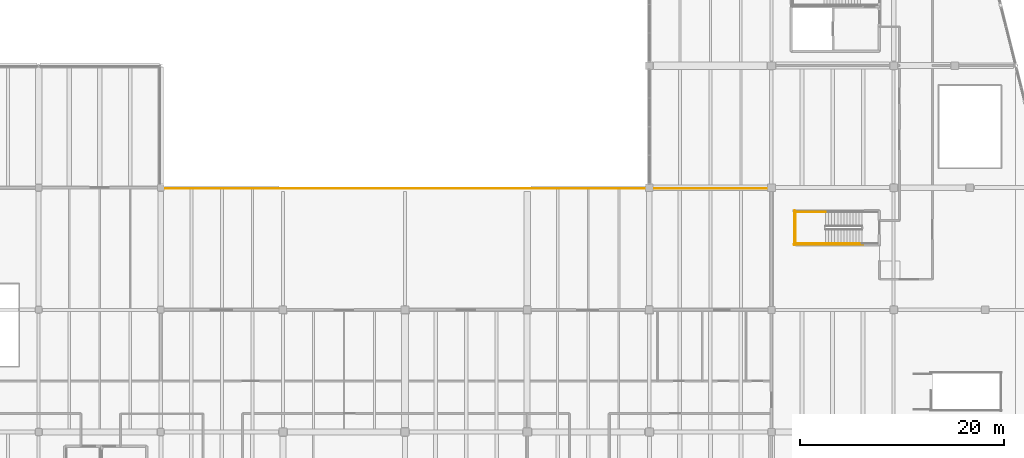
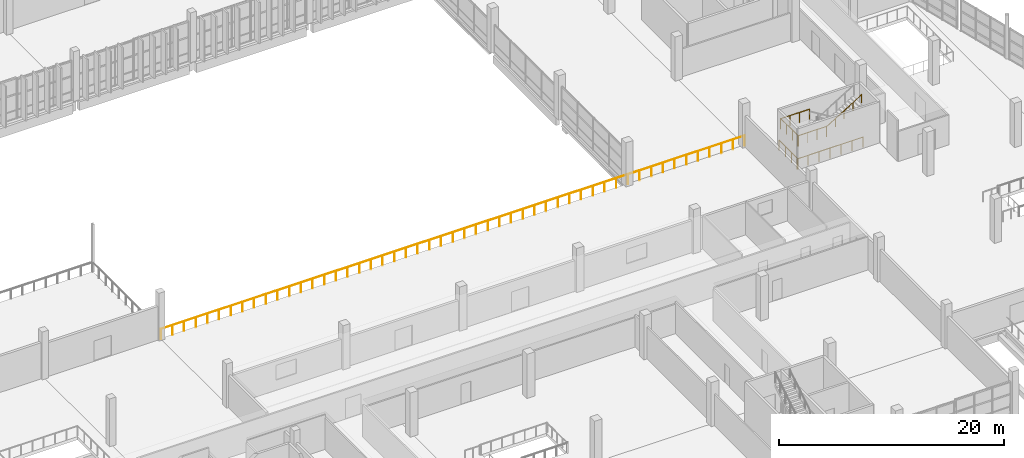
# One storey, part 104 of 112: 7 railings.
"""IFC4 building model written with IfcOpenShell, lengths in metres."""

from ifc_helpers import new_model, si_unit, direction, frame, origin, origin_2d, place, context, subcontext, project, spatial, circle, extrude, material, type_object, element, save


model = new_model("IFC4")

# Units and contexts
model_context = context("Model", 3, precision=1e-05, world=origin(), true_north=direction((0.0, 1.0)))
body_context = subcontext(model_context, "Body", "Model", "MODEL_VIEW")
ifc_project = project(units=[si_unit("LENGTHUNIT", "METRE"), si_unit("AREAUNIT", "SQUARE_METRE"), si_unit("VOLUMEUNIT", "CUBIC_METRE"), si_unit("PLANEANGLEUNIT", "RADIAN"), si_unit("MASSUNIT", "GRAM", prefix="KILO")], contexts=[model_context])

# Site, building, storey
site_placement = place(None, origin())
site = spatial("IfcSite", under=ifc_project, at=site_placement, CompositionType="ELEMENT")
building_placement = place(site_placement, origin())
building = spatial("IfcBuilding", under=site, at=building_placement, Name="Kamomehara Wholesale Market", CompositionType="ELEMENT")
storey_placement = place(building_placement, frame((0.0, 0.0, 6.60009765625)))
storey = spatial("IfcBuildingStorey", under=building, at=storey_placement, Name="L01", CompositionType="ELEMENT", Elevation=6.60009765625)

# Railings
ifc_material_1 = material(Name="Steel SN400B", Category="steel")
railing_type_1 = type_object("IfcRailingType", Name="RAL-EXT-1100", PredefinedType="BALUSTRADE", material=ifc_material_1)
railing_1_placement = place(storey_placement, frame((108.0, 59.89990234375, 0.0)))
element("IfcRailing", 1, at=railing_1_placement, inside=storey, type_object=railing_type_1, Name="Terrace guard OSLB-L01-TER1 1", PredefinedType="BALUSTRADE", context=body_context, shape_type="SweptSolid", body=[
    extrude(circle(Radius=0.02392578125, at=origin_2d()), frame((0.0, 0.0, 1.09619140625), z_axis=(1.0, 0.0, 0.0), x_axis=(0.0, 1.0, 0.0)), (0.0, 0.0, 1.0), 60.0),
    extrude(circle(Radius=0.02099609375, at=origin_2d()), origin(), (0.0, 0.0, 1.0), 1.072021484375),
    extrude(circle(Radius=0.02099609375, at=origin_2d()), frame((1.199951171875, 0.0, 0.0)), (0.0, 0.0, 1.0), 1.072021484375),
    extrude(circle(Radius=0.02099609375, at=origin_2d()), frame((2.39990234375, 0.0, 0.0)), (0.0, 0.0, 1.0), 1.072021484375),
    extrude(circle(Radius=0.02099609375, at=origin_2d()), frame((3.60009765625, 0.0, 0.0)), (0.0, 0.0, 1.0), 1.072021484375),
    extrude(circle(Radius=0.02099609375, at=origin_2d()), frame((4.800048828125, 0.0, 0.0)), (0.0, 0.0, 1.0), 1.072021484375),
    extrude(circle(Radius=0.02099609375, at=origin_2d()), frame((6.0, 0.0, 0.0)), (0.0, 0.0, 1.0), 1.072021484375),
    extrude(circle(Radius=0.02099609375, at=origin_2d()), frame((7.199951171875, 0.0, 0.0)), (0.0, 0.0, 1.0), 1.072021484375),
    extrude(circle(Radius=0.02099609375, at=origin_2d()), frame((8.39990234375, 0.0, 0.0)), (0.0, 0.0, 1.0), 1.072021484375),
    extrude(circle(Radius=0.02099609375, at=origin_2d()), frame((9.60009765625, 0.0, 0.0)), (0.0, 0.0, 1.0), 1.072021484375),
    extrude(circle(Radius=0.02099609375, at=origin_2d()), frame((10.800048828125, 0.0, 0.0)), (0.0, 0.0, 1.0), 1.072021484375),
    extrude(circle(Radius=0.02099609375, at=origin_2d()), frame((12.0, 0.0, 0.0)), (0.0, 0.0, 1.0), 1.072021484375),
    extrude(circle(Radius=0.02099609375, at=origin_2d()), frame((13.199951171875, 0.0, 0.0)), (0.0, 0.0, 1.0), 1.072021484375),
    extrude(circle(Radius=0.02099609375, at=origin_2d()), frame((14.39990234375, 0.0, 0.0)), (0.0, 0.0, 1.0), 1.072021484375),
    extrude(circle(Radius=0.02099609375, at=origin_2d()), frame((15.60009765625, 0.0, 0.0)), (0.0, 0.0, 1.0), 1.072021484375),
    extrude(circle(Radius=0.02099609375, at=origin_2d()), frame((16.800048828125, 0.0, 0.0)), (0.0, 0.0, 1.0), 1.072021484375),
    extrude(circle(Radius=0.02099609375, at=origin_2d()), frame((18.0, 0.0, 0.0)), (0.0, 0.0, 1.0), 1.072021484375),
    extrude(circle(Radius=0.02099609375, at=origin_2d()), frame((19.199951171875, 0.0, 0.0)), (0.0, 0.0, 1.0), 1.072021484375),
    extrude(circle(Radius=0.02099609375, at=origin_2d()), frame((20.39990234375, 0.0, 0.0)), (0.0, 0.0, 1.0), 1.072021484375),
    extrude(circle(Radius=0.02099609375, at=origin_2d()), frame((21.60009765625, 0.0, 0.0)), (0.0, 0.0, 1.0), 1.072021484375),
    extrude(circle(Radius=0.02099609375, at=origin_2d()), frame((22.800048828125, 0.0, 0.0)), (0.0, 0.0, 1.0), 1.072021484375),
    extrude(circle(Radius=0.02099609375, at=origin_2d()), frame((24.0, 0.0, 0.0)), (0.0, 0.0, 1.0), 1.072021484375),
    extrude(circle(Radius=0.02099609375, at=origin_2d()), frame((25.199951171875, 0.0, 0.0)), (0.0, 0.0, 1.0), 1.072021484375),
    extrude(circle(Radius=0.02099609375, at=origin_2d()), frame((26.39990234375, 0.0, 0.0)), (0.0, 0.0, 1.0), 1.072021484375),
    extrude(circle(Radius=0.02099609375, at=origin_2d()), frame((27.60009765625, 0.0, 0.0)), (0.0, 0.0, 1.0), 1.072021484375),
    extrude(circle(Radius=0.02099609375, at=origin_2d()), frame((28.800048828125, 0.0, 0.0)), (0.0, 0.0, 1.0), 1.072021484375),
    extrude(circle(Radius=0.02099609375, at=origin_2d()), frame((30.0, 0.0, 0.0)), (0.0, 0.0, 1.0), 1.072021484375),
    extrude(circle(Radius=0.02099609375, at=origin_2d()), frame((31.199951171875, 0.0, 0.0)), (0.0, 0.0, 1.0), 1.072021484375),
    extrude(circle(Radius=0.02099609375, at=origin_2d()), frame((32.39990234375, 0.0, 0.0)), (0.0, 0.0, 1.0), 1.072021484375),
    extrude(circle(Radius=0.02099609375, at=origin_2d()), frame((33.60009765625, 0.0, 0.0)), (0.0, 0.0, 1.0), 1.072021484375),
    extrude(circle(Radius=0.02099609375, at=origin_2d()), frame((34.800048828125, 0.0, 0.0)), (0.0, 0.0, 1.0), 1.072021484375),
    extrude(circle(Radius=0.02099609375, at=origin_2d()), frame((36.0, 0.0, 0.0)), (0.0, 0.0, 1.0), 1.072021484375),
    extrude(circle(Radius=0.02099609375, at=origin_2d()), frame((37.199951171875, 0.0, 0.0)), (0.0, 0.0, 1.0), 1.072021484375),
    extrude(circle(Radius=0.02099609375, at=origin_2d()), frame((38.39990234375, 0.0, 0.0)), (0.0, 0.0, 1.0), 1.072021484375),
    extrude(circle(Radius=0.02099609375, at=origin_2d()), frame((39.60009765625, 0.0, 0.0)), (0.0, 0.0, 1.0), 1.072021484375),
    extrude(circle(Radius=0.02099609375, at=origin_2d()), frame((40.800048828125, 0.0, 0.0)), (0.0, 0.0, 1.0), 1.072021484375),
    extrude(circle(Radius=0.02099609375, at=origin_2d()), frame((42.0, 0.0, 0.0)), (0.0, 0.0, 1.0), 1.072021484375),
    extrude(circle(Radius=0.02099609375, at=origin_2d()), frame((43.199951171875, 0.0, 0.0)), (0.0, 0.0, 1.0), 1.072021484375),
    extrude(circle(Radius=0.02099609375, at=origin_2d()), frame((44.39990234375, 0.0, 0.0)), (0.0, 0.0, 1.0), 1.072021484375),
    extrude(circle(Radius=0.02099609375, at=origin_2d()), frame((45.60009765625, 0.0, 0.0)), (0.0, 0.0, 1.0), 1.072021484375),
    extrude(circle(Radius=0.02099609375, at=origin_2d()), frame((46.800048828125, 0.0, 0.0)), (0.0, 0.0, 1.0), 1.072021484375),
    extrude(circle(Radius=0.02099609375, at=origin_2d()), frame((48.0, 0.0, 0.0)), (0.0, 0.0, 1.0), 1.072021484375),
    extrude(circle(Radius=0.02099609375, at=origin_2d()), frame((49.199951171875, 0.0, 0.0)), (0.0, 0.0, 1.0), 1.072021484375),
    extrude(circle(Radius=0.02099609375, at=origin_2d()), frame((50.39990234375, 0.0, 0.0)), (0.0, 0.0, 1.0), 1.072021484375),
    extrude(circle(Radius=0.02099609375, at=origin_2d()), frame((51.60009765625, 0.0, 0.0)), (0.0, 0.0, 1.0), 1.072021484375),
    extrude(circle(Radius=0.02099609375, at=origin_2d()), frame((52.800048828125, 0.0, 0.0)), (0.0, 0.0, 1.0), 1.072021484375),
    extrude(circle(Radius=0.02099609375, at=origin_2d()), frame((54.0, 0.0, 0.0)), (0.0, 0.0, 1.0), 1.072021484375),
    extrude(circle(Radius=0.02099609375, at=origin_2d()), frame((55.199951171875, 0.0, 0.0)), (0.0, 0.0, 1.0), 1.072021484375),
    extrude(circle(Radius=0.02099609375, at=origin_2d()), frame((56.39990234375, 0.0, 0.0)), (0.0, 0.0, 1.0), 1.072021484375),
    extrude(circle(Radius=0.02099609375, at=origin_2d()), frame((57.60009765625, 0.0, 0.0)), (0.0, 0.0, 1.0), 1.072021484375),
    extrude(circle(Radius=0.02099609375, at=origin_2d()), frame((58.800048828125, 0.0, 0.0)), (0.0, 0.0, 1.0), 1.072021484375),
    extrude(circle(Radius=0.02099609375, at=origin_2d()), frame((60.0, 0.0, 0.0)), (0.0, 0.0, 1.0), 1.072021484375),
])
ifc_material_2 = material(Name="Steel SN400B", Category="steel")
railing_type_2 = type_object("IfcRailingType", Name="RAL-HND-900", PredefinedType="HANDRAIL", material=ifc_material_2)
railing_2_placement = place(storey_placement, frame((173.31494140625, 54.530029296875, 2.58447265625)))
element("IfcRailing", 2, at=railing_2_placement, inside=storey, type_object=railing_type_2, Name="L01 ST-10 stair handrail 2", PredefinedType="HANDRAIL", context=body_context, shape_type="SweptSolid", body=[
    extrude(circle(Radius=0.02392578125, at=origin_2d()), frame((0.0, 0.0, 0.8759765625), z_axis=(0.85167021472, 0.0, 0.524078090897), x_axis=(0.0, 1.0, 0.0)), (0.0, 0.0, 1.0), 4.22705078125),
    extrude(circle(Radius=0.02099609375, at=origin_2d()), origin(), (0.0, 0.0, 1.0), 0.851806640625),
    extrude(circle(Radius=0.02099609375, at=origin_2d()), frame((0.89990234375, 0.0, 0.5537109375)), (0.0, 0.0, 1.0), 0.851806640625),
    extrude(circle(Radius=0.02099609375, at=origin_2d()), frame((1.800048828125, 0.0, 1.107666015625)), (0.0, 0.0, 1.0), 0.851806640625),
    extrude(circle(Radius=0.02099609375, at=origin_2d()), frame((2.7001953125, 0.0, 1.66162109375)), (0.0, 0.0, 1.0), 0.851806640625),
    extrude(circle(Radius=0.02099609375, at=origin_2d()), frame((3.60009765625, 0.0, 2.21533203125)), (0.0, 0.0, 1.0), 0.851806640625),
])
ifc_material_3 = material(Name="Steel SN400B", Category="steel")
railing_type_3 = type_object("IfcRailingType", Name="RAL-INT-1100", PredefinedType="BALUSTRADE", material=ifc_material_3)
for number, where, name in (
    (3, (173.31494140625, 57.60009765625, 2.39990234375), "L01 ST-10 stair guard 3"),
    (4, (173.31494140625, 54.530029296875, 2.39990234375), "L01 ST-10 stair guard 4"),
):
    element("IfcRailing", number, at=place(storey_placement, frame(where)), inside=storey, type_object=railing_type_3, Name=name, PredefinedType="BALUSTRADE", context=body_context, shape_type="SweptSolid", body=[
        extrude(circle(Radius=0.02392578125, at=origin_2d()), frame((0.0, 0.0, 1.09619140625), z_axis=(-1.0, 0.0, 0.0), x_axis=(0.0, -1.0, 0.0)), (0.0, 0.0, 1.0), 2.98486328125),
        extrude(circle(Radius=0.02099609375, at=origin_2d()), origin(), (0.0, 0.0, 1.0), 1.072021484375),
        extrude(circle(Radius=0.02099609375, at=origin_2d()), frame((-0.994873046875, 0.0, 0.0)), (0.0, 0.0, 1.0), 1.072021484375),
        extrude(circle(Radius=0.02099609375, at=origin_2d()), frame((-1.989990234375, 0.0, 0.0)), (0.0, 0.0, 1.0), 1.072021484375),
        extrude(circle(Radius=0.02099609375, at=origin_2d()), frame((-2.98486328125, 0.0, 0.0)), (0.0, 0.0, 1.0), 1.072021484375),
    ])
railing_3_placement = place(storey_placement, frame((170.3798828125, 57.64990234375, 2.39990234375)))
element("IfcRailing", 5, at=railing_3_placement, inside=storey, type_object=railing_type_3, Name="L01 ST-10 stair guard 5", PredefinedType="BALUSTRADE", context=body_context, shape_type="SweptSolid", body=[
    extrude(circle(Radius=0.02392578125, at=origin_2d()), frame((0.0, 0.0, 1.09619140625), z_axis=(0.0, -1.0, 0.0), x_axis=(1.0, 0.0, 0.0)), (0.0, 0.0, 1.0), 3.169921875),
    extrude(circle(Radius=0.02099609375, at=origin_2d()), origin(), (0.0, 0.0, 1.0), 1.072021484375),
    extrude(circle(Radius=0.02099609375, at=origin_2d()), frame((0.0, -1.056640625, 0.0)), (0.0, 0.0, 1.0), 1.072021484375),
    extrude(circle(Radius=0.02099609375, at=origin_2d()), frame((0.0, -2.11328125, 0.0)), (0.0, 0.0, 1.0), 1.072021484375),
    extrude(circle(Radius=0.02099609375, at=origin_2d()), frame((0.0, -3.169921875, 0.0)), (0.0, 0.0, 1.0), 1.072021484375),
])
railing_4_placement = place(storey_placement, frame((177.014892578125, 54.429931640625, 0.0)))
element("IfcRailing", 6, at=railing_4_placement, inside=storey, type_object=railing_type_3, Name="L01 ST-10 stair guard 11", PredefinedType="BALUSTRADE", context=body_context, shape_type="SweptSolid", body=[
    extrude(circle(Radius=0.02392578125, at=origin_2d()), frame((0.0, 0.0, 1.09619140625), z_axis=(-1.0, 0.0, 0.0), x_axis=(0.0, -1.0, 0.0)), (0.0, 0.0, 1.0), 6.784912109375),
    extrude(circle(Radius=0.02099609375, at=origin_2d()), origin(), (0.0, 0.0, 1.0), 1.072021484375),
    extrude(circle(Radius=0.02099609375, at=origin_2d()), frame((-1.130859375, 0.0, 0.0)), (0.0, 0.0, 1.0), 1.072021484375),
    extrude(circle(Radius=0.02099609375, at=origin_2d()), frame((-2.26171875, 0.0, 0.0)), (0.0, 0.0, 1.0), 1.072021484375),
    extrude(circle(Radius=0.02099609375, at=origin_2d()), frame((-3.392578125, 0.0, 0.0)), (0.0, 0.0, 1.0), 1.072021484375),
    extrude(circle(Radius=0.02099609375, at=origin_2d()), frame((-4.523193359375, 0.0, 0.0)), (0.0, 0.0, 1.0), 1.072021484375),
    extrude(circle(Radius=0.02099609375, at=origin_2d()), frame((-5.654052734375, 0.0, 0.0)), (0.0, 0.0, 1.0), 1.072021484375),
    extrude(circle(Radius=0.02099609375, at=origin_2d()), frame((-6.784912109375, 0.0, 0.0)), (0.0, 0.0, 1.0), 1.072021484375),
])
railing_5_placement = place(storey_placement, frame((170.280029296875, 57.75, 0.0)))
element("IfcRailing", 7, at=railing_5_placement, inside=storey, type_object=railing_type_3, Name="L01 ST-10 stair guard 12", PredefinedType="BALUSTRADE", context=body_context, shape_type="SweptSolid", body=[
    extrude(circle(Radius=0.02392578125, at=origin_2d()), frame((0.0, 0.0, 1.09619140625), z_axis=(0.0, -1.0, 0.0), x_axis=(1.0, 0.0, 0.0)), (0.0, 0.0, 1.0), 3.3701171875),
    extrude(circle(Radius=0.02099609375, at=origin_2d()), origin(), (0.0, 0.0, 1.0), 1.072021484375),
    extrude(circle(Radius=0.02099609375, at=origin_2d()), frame((0.0, -1.123291015625, 0.0)), (0.0, 0.0, 1.0), 1.072021484375),
    extrude(circle(Radius=0.02099609375, at=origin_2d()), frame((0.0, -2.246826171875, 0.0)), (0.0, 0.0, 1.0), 1.072021484375),
    extrude(circle(Radius=0.02099609375, at=origin_2d()), frame((0.0, -3.3701171875, 0.0)), (0.0, 0.0, 1.0), 1.072021484375),
])

save(model, "model.ifc")
